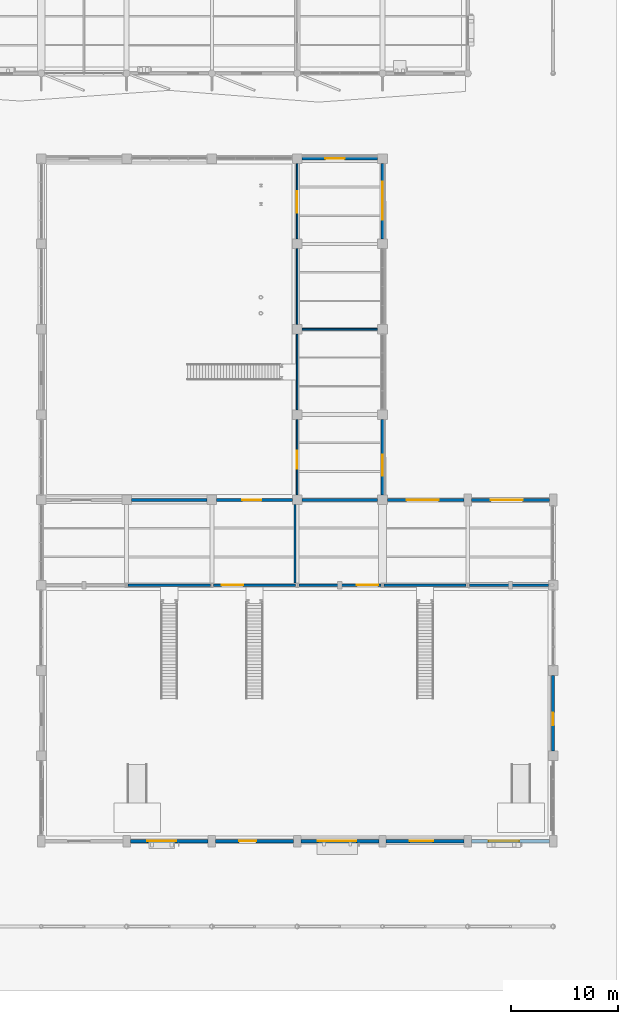
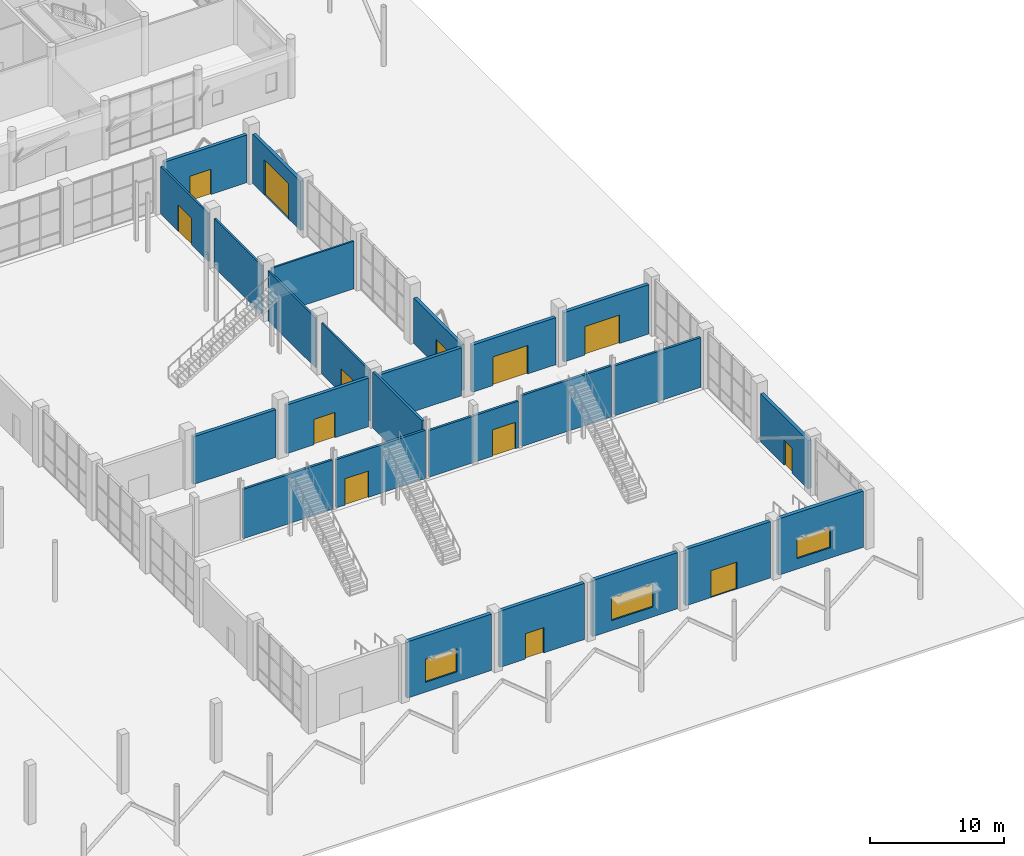
# One storey, part 103 of 123: 25 walls, 13 doors, 3 windows, 16 openings.
"""IFC4 building model written with IfcOpenShell, lengths in metres."""

from ifc_helpers import new_model, si_unit, direction, frame, frame_2d, origin, place, context, subcontext, project, spatial, rectangle, extrude, material, layer, layer_set, type_object, element, fill, save


model = new_model("IFC4")

# Units and contexts
model_context = context("Model", 3, precision=1e-05, world=origin(), true_north=direction((0.0, 1.0)))
body_context = subcontext(model_context, "Body", "Model", "MODEL_VIEW")
ifc_project = project(units=[si_unit("LENGTHUNIT", "METRE"), si_unit("AREAUNIT", "SQUARE_METRE"), si_unit("VOLUMEUNIT", "CUBIC_METRE"), si_unit("PLANEANGLEUNIT", "RADIAN"), si_unit("MASSUNIT", "GRAM", prefix="KILO")], contexts=[model_context])

# Site, building, storey
site_placement = place(None, origin())
site = spatial("IfcSite", under=ifc_project, at=site_placement, CompositionType="ELEMENT")
building_placement = place(site_placement, origin())
building = spatial("IfcBuilding", under=site, at=building_placement, Name="Tenunan Teduh Sports Hall", CompositionType="ELEMENT")
storey_placement = place(building_placement, origin())
storey = spatial("IfcBuildingStorey", under=building, at=storey_placement, Name="L00", CompositionType="ELEMENT", Elevation=0.0)

# Wall
ifc_material_1 = material(Name="Concrete C40/50", Category="concrete")
ifc_layer_1 = layer(ifc_material_1, 0.280029296875)
ifc_layer_set_1 = layer_set([ifc_layer_1], Name="Concrete C40/50")
wall_type_1 = type_object("IfcWallType", Name="WL-EXT-280", PredefinedType="SOLIDWALL", material=ifc_layer_set_1)
wall_1_placement = place(storey_placement, frame((130.449951171875, 46.0, 0.0), z_axis=(0.0, 0.0, 1.0), x_axis=(1.0, 0.0, 0.0)))
element("IfcWall", 1, at=wall_1_placement, inside=storey, type_object=wall_type_1, Name="WL-EXT-L00-054", PredefinedType="SOLIDWALL", context=body_context, shape_type="SweptSolid", body=[
    extrude(rectangle(XDim=7.10009765625, YDim=0.280029296875, at=frame_2d((3.550048828125, 0.0))), origin(), (0.0, 0.0, 1.0), 4.340087890625),
])

# Wall, opening, door
wall_2_placement = place(storey_placement, frame((138.449951171875, 46.0, 0.0), z_axis=(0.0, 0.0, 1.0), x_axis=(1.0, 0.0, 0.0)))
wall_2 = element("IfcWall", 2, at=wall_2_placement, inside=storey, type_object=wall_type_1, Name="WL-EXT-L00-056", PredefinedType="SOLIDWALL", context=body_context, shape_type="SweptSolid", body=[
    extrude(rectangle(XDim=7.10009765625, YDim=0.280029296875, at=frame_2d((3.550048828125, 0.0))), origin(), (0.0, 0.0, 1.0), 4.419921875),
])
opening_1_placement = place(wall_2_placement, frame((2.39990234375, 0.0, 0.0)))
opening_1 = element("IfcOpeningElement", 3, at=opening_1_placement, cuts=wall_2, Name="Opening ED-02", PredefinedType="OPENING", context=body_context, shape_type="SweptSolid", body=[
    extrude(rectangle(XDim=1.800048828125, YDim=2.300048828125, at=frame_2d((0.89990234375, 1.14990234375))), frame((0.0, 0.14990234375, 0.0), z_axis=(0.0, -1.0, 0.0), x_axis=(1.0, 0.0, 0.0)), (0.0, 0.0, 1.0), 0.300048828125),
])
ifc_material_2 = material(Name="Powder-coated aluminium and laminated safety glass", Category="aluminium")
door_type_1 = type_object("IfcDoorType", Name="EDR-02", OperationType="DOUBLE_DOOR_SINGLE_SWING", PredefinedType="DOOR", material=ifc_material_2)
door_1_placement = place(opening_1_placement, origin())
door_1 = element("IfcDoor", 4, at=door_1_placement, inside=storey, type_object=door_type_1, Name="DR-EXT-L00-005", OperationType="DOUBLE_DOOR_SINGLE_SWING", OverallHeight=2.300048828125, OverallWidth=1.800048828125, PredefinedType="DOOR", context=body_context, shape_type="SweptSolid", body=[
    extrude(rectangle(XDim=1.800048828125, YDim=2.300048828125, at=frame_2d((0.89990234375, 1.14990234375))), frame((0.0, 0.02490234375, 0.0), z_axis=(0.0, -1.0, 0.0), x_axis=(1.0, 0.0, 0.0)), (0.0, 0.0, 1.0), 0.050048828125),
])
fill(opening_1, door_1)

# Wall
wall_3_placement = place(storey_placement, frame((146.449951171875, 46.0, 0.0), z_axis=(0.0, 0.0, 1.0), x_axis=(1.0, 0.0, 0.0)))
element("IfcWall", 5, at=wall_3_placement, inside=storey, type_object=wall_type_1, Name="WL-EXT-L00-058", PredefinedType="SOLIDWALL", context=body_context, shape_type="SweptSolid", body=[
    extrude(rectangle(XDim=7.10009765625, YDim=0.280029296875, at=frame_2d((3.550048828125, 0.0))), origin(), (0.0, 0.0, 1.0), 4.360107421875),
])

# Wall, opening, door
wall_4_placement = place(storey_placement, frame((146.449951171875, 78.0, 0.0), z_axis=(0.0, 0.0, 1.0), x_axis=(1.0, 0.0, 0.0)))
wall_4 = element("IfcWall", 6, at=wall_4_placement, inside=storey, type_object=wall_type_1, Name="WL-EXT-L00-119", PredefinedType="SOLIDWALL", context=body_context, shape_type="SweptSolid", body=[
    extrude(rectangle(XDim=7.10009765625, YDim=0.280029296875, at=frame_2d((3.550048828125, 0.0))), origin(), (0.0, 0.0, 1.0), 4.340087890625),
])
opening_2_placement = place(wall_4_placement, frame((2.199951171875, 0.0, 0.0)))
opening_2 = element("IfcOpeningElement", 7, at=opening_2_placement, cuts=wall_4, Name="Opening ED-02", PredefinedType="OPENING", context=body_context, shape_type="SweptSolid", body=[
    extrude(rectangle(XDim=1.800048828125, YDim=2.300048828125, at=frame_2d((0.89990234375, 1.14990234375))), frame((0.0, 0.14990234375, 0.0), z_axis=(0.0, -1.0, 0.0), x_axis=(1.0, 0.0, 0.0)), (0.0, 0.0, 1.0), 0.300048828125),
])
door_2_placement = place(opening_2_placement, origin())
door_2 = element("IfcDoor", 8, at=door_2_placement, inside=storey, type_object=door_type_1, Name="DR-EXT-L00-023", OperationType="DOUBLE_DOOR_SINGLE_SWING", OverallHeight=2.300048828125, OverallWidth=1.800048828125, PredefinedType="DOOR", context=body_context, shape_type="SweptSolid", body=[
    extrude(rectangle(XDim=1.800048828125, YDim=2.300048828125, at=frame_2d((0.89990234375, 1.14990234375))), frame((0.0, 0.02490234375, 0.0), z_axis=(0.0, -1.0, 0.0), x_axis=(1.0, 0.0, 0.0)), (0.0, 0.0, 1.0), 0.050048828125),
])
fill(opening_2, door_2)

wall_5_placement = place(storey_placement, frame((154.0, 46.449951171875, 0.0), z_axis=(0.0, 0.0, 1.0), x_axis=(0.0, 1.0, 0.0)))
wall_5 = element("IfcWall", 9, at=wall_5_placement, inside=storey, type_object=wall_type_1, Name="WL-EXT-L00-120", PredefinedType="SOLIDWALL", context=body_context, shape_type="SweptSolid", body=[
    extrude(rectangle(XDim=7.10009765625, YDim=0.280029296875, at=frame_2d((3.550048828125, 0.0))), origin(), (0.0, 0.0, 1.0), 4.139892578125),
])
opening_3_placement = place(wall_5_placement, frame((1.800048828125, 0.0, 0.0)))
opening_3 = element("IfcOpeningElement", 10, at=opening_3_placement, cuts=wall_5, Name="Opening ED-01", PredefinedType="OPENING", context=body_context, shape_type="SweptSolid", body=[
    extrude(rectangle(XDim=2.0, YDim=2.39990234375, at=frame_2d((1.0, 1.199951171875))), frame((0.0, 0.14990234375, 0.0), z_axis=(0.0, -1.0, 0.0), x_axis=(1.0, 0.0, 0.0)), (0.0, 0.0, 1.0), 0.300048828125),
])
ifc_material_3 = material(Name="Powder-coated aluminium and laminated safety glass", Category="aluminium")
door_type_2 = type_object("IfcDoorType", Name="EDR-01", OperationType="DOUBLE_DOOR_SINGLE_SWING", PredefinedType="DOOR", material=ifc_material_3)
door_3_placement = place(opening_3_placement, origin())
door_3 = element("IfcDoor", 11, at=door_3_placement, inside=storey, type_object=door_type_2, Name="DR-EXT-L00-024", OperationType="DOUBLE_DOOR_SINGLE_SWING", OverallHeight=2.39990234375, OverallWidth=2.0, PredefinedType="DOOR", context=body_context, shape_type="SweptSolid", body=[
    extrude(rectangle(XDim=2.0, YDim=2.39990234375, at=frame_2d((1.0, 1.199951171875))), frame((0.0, 0.02490234375, 0.0), z_axis=(0.0, -1.0, 0.0), x_axis=(1.0, 0.0, 0.0)), (0.0, 0.0, 1.0), 0.050048828125),
])
fill(opening_3, door_3)

wall_6_placement = place(storey_placement, frame((154.0, 70.449951171875, 0.0), z_axis=(0.0, 0.0, 1.0), x_axis=(0.0, 1.0, 0.0)))
wall_6 = element("IfcWall", 12, at=wall_6_placement, inside=storey, type_object=wall_type_1, Name="WL-EXT-L00-122", PredefinedType="SOLIDWALL", context=body_context, shape_type="SweptSolid", body=[
    extrude(rectangle(XDim=7.10009765625, YDim=0.280029296875, at=frame_2d((3.550048828125, 0.0))), origin(), (0.0, 0.0, 1.0), 4.489990234375),
])
opening_4_placement = place(wall_6_placement, frame((1.800048828125, 0.0, 0.0)))
opening_4 = element("IfcOpeningElement", 13, at=opening_4_placement, cuts=wall_6, Name="Opening EG-04", PredefinedType="OPENING", context=body_context, shape_type="SweptSolid", body=[
    extrude(rectangle(XDim=3.60009765625, YDim=3.199951171875, at=frame_2d((1.800048828125, 1.60009765625))), frame((0.0, 0.14990234375, 0.0), z_axis=(0.0, -1.0, 0.0), x_axis=(1.0, 0.0, 0.0)), (0.0, 0.0, 1.0), 0.300048828125),
])
ifc_material_4 = material(Name="Powder-coated aluminium and laminated safety glass", Category="aluminium")
door_type_3 = type_object("IfcDoorType", Name="EGT-04", OperationType="ROLLINGUP", PredefinedType="GATE", material=ifc_material_4)
door_4_placement = place(opening_4_placement, origin())
door_4 = element("IfcDoor", 14, at=door_4_placement, inside=storey, type_object=door_type_3, Name="DR-EXT-L00-026", OperationType="ROLLINGUP", OverallHeight=3.199951171875, OverallWidth=3.60009765625, PredefinedType="GATE", context=body_context, shape_type="SweptSolid", body=[
    extrude(rectangle(XDim=3.60009765625, YDim=3.199951171875, at=frame_2d((1.800048828125, 1.60009765625))), frame((0.0, 0.02490234375, 0.0), z_axis=(0.0, -1.0, 0.0), x_axis=(1.0, 0.0, 0.0)), (0.0, 0.0, 1.0), 0.050048828125),
])
fill(opening_4, door_4)

ifc_material_5 = material(Name="Concrete C40/50", Category="concrete")
ifc_layer_2 = layer(ifc_material_5, 0.2900390625)
ifc_layer_set_2 = layer_set([ifc_layer_2], Name="Concrete C40/50")
wall_type_2 = type_object("IfcWallType", Name="WL-EXT-290", PredefinedType="SOLIDWALL", material=ifc_layer_set_2)
wall_7_placement = place(storey_placement, frame((170.0, 22.449951171875, 0.0), z_axis=(0.0, 0.0, 1.0), x_axis=(0.0, 1.0, 0.0)))
wall_7 = element("IfcWall", 15, at=wall_7_placement, inside=storey, type_object=wall_type_2, Name="WL-EXT-L00-064", PredefinedType="SOLIDWALL", context=body_context, shape_type="SweptSolid", body=[
    extrude(rectangle(XDim=7.10009765625, YDim=0.2900390625, at=frame_2d((3.550048828125, 0.0))), origin(), (0.0, 0.0, 1.0), 4.389892578125),
])
opening_5_placement = place(wall_7_placement, frame((2.39990234375, 0.0, 0.0)))
opening_5 = element("IfcOpeningElement", 16, at=opening_5_placement, cuts=wall_7, Name="Opening ED-08", PredefinedType="OPENING", context=body_context, shape_type="SweptSolid", body=[
    extrude(rectangle(XDim=1.199951171875, YDim=2.25, at=frame_2d((0.60009765625, 1.125))), frame((0.0, 0.155029296875, 0.0), z_axis=(0.0, -1.0, 0.0), x_axis=(1.0, 0.0, 0.0)), (0.0, 0.0, 1.0), 0.31005859375),
])
ifc_material_6 = material(Name="Powder-coated aluminium and laminated safety glass", Category="aluminium")
door_type_4 = type_object("IfcDoorType", Name="EDR-08", OperationType="SINGLE_SWING_LEFT", PredefinedType="DOOR", material=ifc_material_6)
door_5_placement = place(opening_5_placement, origin())
door_5 = element("IfcDoor", 17, at=door_5_placement, inside=storey, type_object=door_type_4, Name="DR-EXT-L00-010", OperationType="SINGLE_SWING_LEFT", OverallHeight=2.25, OverallWidth=1.199951171875, PredefinedType="DOOR", context=body_context, shape_type="SweptSolid", body=[
    extrude(rectangle(XDim=1.199951171875, YDim=2.25, at=frame_2d((0.60009765625, 1.125))), frame((0.0, 0.02490234375, 0.0), z_axis=(0.0, -1.0, 0.0), x_axis=(1.0, 0.0, 0.0)), (0.0, 0.0, 1.0), 0.050048828125),
])
fill(opening_5, door_5)

ifc_material_7 = material(Name="Concrete C40/50", Category="concrete")
ifc_layer_3 = layer(ifc_material_7, 0.300048828125)
ifc_layer_set_3 = layer_set([ifc_layer_3], Name="Concrete C40/50")
wall_type_3 = type_object("IfcWallType", Name="WL-EXT-300", PredefinedType="SOLIDWALL", material=ifc_layer_set_3)
wall_8_placement = place(storey_placement, frame((138.35009765625, 14.0, 0.0), z_axis=(0.0, 0.0, 1.0), x_axis=(1.0, 0.0, 0.0)))
wall_8 = element("IfcWall", 18, at=wall_8_placement, inside=storey, type_object=wall_type_3, Name="WL-EXT-L00-055", PredefinedType="SOLIDWALL", context=body_context, shape_type="SweptSolid", body=[
    extrude(rectangle(XDim=7.2998046875, YDim=0.300048828125, at=frame_2d((3.64990234375, 0.0))), origin(), (0.0, 0.0, 1.0), 5.1201171875),
])
opening_6_placement = place(wall_8_placement, frame((2.199951171875, 0.0, 0.0)))
opening_6 = element("IfcOpeningElement", 19, at=opening_6_placement, cuts=wall_8, Name="Opening ED-06", PredefinedType="OPENING", context=body_context, shape_type="SweptSolid", body=[
    extrude(rectangle(XDim=1.60009765625, YDim=2.300048828125, at=frame_2d((0.800048828125, 1.14990234375))), frame((0.0, 0.159912109375, 0.0), z_axis=(0.0, -1.0, 0.0), x_axis=(1.0, 0.0, 0.0)), (0.0, 0.0, 1.0), 0.320068359375),
])
ifc_material_8 = material(Name="Powder-coated aluminium and laminated safety glass", Category="aluminium")
door_type_5 = type_object("IfcDoorType", Name="EDR-06", OperationType="DOUBLE_DOOR_SINGLE_SWING", PredefinedType="DOOR", material=ifc_material_8)
door_6_placement = place(opening_6_placement, origin())
door_6 = element("IfcDoor", 20, at=door_6_placement, inside=storey, type_object=door_type_5, Name="DR-EXT-L00-004", OperationType="DOUBLE_DOOR_SINGLE_SWING", OverallHeight=2.300048828125, OverallWidth=1.60009765625, PredefinedType="DOOR", context=body_context, shape_type="SweptSolid", body=[
    extrude(rectangle(XDim=1.60009765625, YDim=2.300048828125, at=frame_2d((0.800048828125, 1.14990234375))), frame((0.0, 0.02490234375, 0.0), z_axis=(0.0, -1.0, 0.0), x_axis=(1.0, 0.0, 0.0)), (0.0, 0.0, 1.0), 0.050048828125),
])
fill(opening_6, door_6)

wall_9_placement = place(storey_placement, frame((154.35009765625, 14.0, 0.0), z_axis=(0.0, 0.0, 1.0), x_axis=(1.0, 0.0, 0.0)))
wall_9 = element("IfcWall", 21, at=wall_9_placement, inside=storey, type_object=wall_type_3, Name="WL-EXT-L00-059", PredefinedType="SOLIDWALL", context=body_context, shape_type="SweptSolid", body=[
    extrude(rectangle(XDim=7.2998046875, YDim=0.300048828125, at=frame_2d((3.64990234375, 0.0))), origin(), (0.0, 0.0, 1.0), 5.1201171875),
])
opening_7_placement = place(wall_9_placement, frame((2.199951171875, 0.0, 0.0)))
opening_7 = element("IfcOpeningElement", 22, at=opening_7_placement, cuts=wall_9, Name="Opening ED-07", PredefinedType="OPENING", context=body_context, shape_type="SweptSolid", body=[
    extrude(rectangle(XDim=2.199951171875, YDim=2.449951171875, at=frame_2d((1.10009765625, 1.22509765625))), frame((0.0, 0.159912109375, 0.0), z_axis=(0.0, -1.0, 0.0), x_axis=(1.0, 0.0, 0.0)), (0.0, 0.0, 1.0), 0.320068359375),
])
ifc_material_9 = material(Name="Powder-coated aluminium and laminated safety glass", Category="aluminium")
door_type_6 = type_object("IfcDoorType", Name="EDR-07", OperationType="DOUBLE_DOOR_SINGLE_SWING", PredefinedType="DOOR", material=ifc_material_9)
door_7_placement = place(opening_7_placement, origin())
door_7 = element("IfcDoor", 23, at=door_7_placement, inside=storey, type_object=door_type_6, Name="DR-EXT-L00-006", OperationType="DOUBLE_DOOR_SINGLE_SWING", OverallHeight=2.449951171875, OverallWidth=2.199951171875, PredefinedType="DOOR", context=body_context, shape_type="SweptSolid", body=[
    extrude(rectangle(XDim=2.199951171875, YDim=2.449951171875, at=frame_2d((1.10009765625, 1.22509765625))), frame((0.0, 0.02490234375, 0.0), z_axis=(0.0, -1.0, 0.0), x_axis=(1.0, 0.0, 0.0)), (0.0, 0.0, 1.0), 0.050048828125),
])
fill(opening_7, door_7)

wall_10_placement = place(storey_placement, frame((154.449951171875, 46.0, 0.0), z_axis=(0.0, 0.0, 1.0), x_axis=(1.0, 0.0, 0.0)))
wall_10 = element("IfcWall", 24, at=wall_10_placement, inside=storey, type_object=wall_type_3, Name="WL-EXT-L00-060", PredefinedType="SOLIDWALL", context=body_context, shape_type="SweptSolid", body=[
    extrude(rectangle(XDim=7.199951171875, YDim=0.300048828125, at=frame_2d((3.60009765625, 0.0))), origin(), (0.0, 0.0, 1.0), 4.2900390625),
])
opening_8_placement = place(wall_10_placement, frame((1.800048828125, 0.0, 0.0)))
opening_8 = element("IfcOpeningElement", 25, at=opening_8_placement, cuts=wall_10, Name="Opening EG-02", PredefinedType="OPENING", context=body_context, shape_type="SweptSolid", body=[
    extrude(rectangle(XDim=3.0, YDim=2.60009765625, at=frame_2d((1.5, 1.300048828125))), frame((0.0, 0.159912109375, 0.0), z_axis=(0.0, -1.0, 0.0), x_axis=(1.0, 0.0, 0.0)), (0.0, 0.0, 1.0), 0.320068359375),
])
ifc_material_10 = material(Name="Powder-coated aluminium and laminated safety glass", Category="aluminium")
door_type_7 = type_object("IfcDoorType", Name="EGT-02", OperationType="DOUBLE_SWING_LEFT", PredefinedType="GATE", material=ifc_material_10)
door_8_placement = place(opening_8_placement, origin())
door_8 = element("IfcDoor", 26, at=door_8_placement, inside=storey, type_object=door_type_7, Name="DR-EXT-L00-007", OperationType="DOUBLE_SWING_LEFT", OverallHeight=2.60009765625, OverallWidth=3.0, PredefinedType="GATE", context=body_context, shape_type="SweptSolid", body=[
    extrude(rectangle(XDim=3.0, YDim=2.60009765625, at=frame_2d((1.5, 1.300048828125))), frame((0.0, 0.02490234375, 0.0), z_axis=(0.0, -1.0, 0.0), x_axis=(1.0, 0.0, 0.0)), (0.0, 0.0, 1.0), 0.050048828125),
])
fill(opening_8, door_8)

wall_11_placement = place(storey_placement, frame((162.35009765625, 46.0, 0.0), z_axis=(0.0, 0.0, 1.0), x_axis=(1.0, 0.0, 0.0)))
wall_11 = element("IfcWall", 27, at=wall_11_placement, inside=storey, type_object=wall_type_3, Name="WL-EXT-L00-062", PredefinedType="SOLIDWALL", context=body_context, shape_type="SweptSolid", body=[
    extrude(rectangle(XDim=7.2998046875, YDim=0.300048828125, at=frame_2d((3.64990234375, 0.0))), origin(), (0.0, 0.0, 1.0), 4.489990234375),
])
opening_9_placement = place(wall_11_placement, frame((1.800048828125, 0.0, 0.0)))
opening_9 = element("IfcOpeningElement", 28, at=opening_9_placement, cuts=wall_11, Name="Opening EG-02", PredefinedType="OPENING", context=body_context, shape_type="SweptSolid", body=[
    extrude(rectangle(XDim=3.0, YDim=2.60009765625, at=frame_2d((1.5, 1.300048828125))), frame((0.0, 0.159912109375, 0.0), z_axis=(0.0, -1.0, 0.0), x_axis=(1.0, 0.0, 0.0)), (0.0, 0.0, 1.0), 0.320068359375),
])
door_9_placement = place(opening_9_placement, origin())
door_9 = element("IfcDoor", 29, at=door_9_placement, inside=storey, type_object=door_type_7, Name="DR-EXT-L00-008", OperationType="DOUBLE_SWING_LEFT", OverallHeight=2.60009765625, OverallWidth=3.0, PredefinedType="GATE", context=body_context, shape_type="SweptSolid", body=[
    extrude(rectangle(XDim=3.0, YDim=2.60009765625, at=frame_2d((1.5, 1.300048828125))), frame((0.0, 0.02490234375, 0.0), z_axis=(0.0, -1.0, 0.0), x_axis=(1.0, 0.0, 0.0)), (0.0, 0.0, 1.0), 0.050048828125),
])
fill(opening_9, door_9)

# Wall, opening, window
ifc_material_11 = material(Name="Concrete C40/50", Category="concrete")
ifc_layer_4 = layer(ifc_material_11, 0.320068359375)
ifc_layer_set_4 = layer_set([ifc_layer_4], Name="Concrete C40/50")
wall_type_4 = type_object("IfcWallType", Name="WL-EXT-320", PredefinedType="SOLIDWALL", material=ifc_layer_set_4)
wall_12_placement = place(storey_placement, frame((130.35009765625, 14.0, 0.0), z_axis=(0.0, 0.0, 1.0), x_axis=(1.0, 0.0, 0.0)))
wall_12 = element("IfcWall", 30, at=wall_12_placement, inside=storey, type_object=wall_type_4, Name="WL-EXT-L00-053", PredefinedType="SOLIDWALL", context=body_context, shape_type="SweptSolid", body=[
    extrude(rectangle(XDim=7.2998046875, YDim=0.320068359375, at=frame_2d((3.64990234375, 0.0))), origin(), (0.0, 0.0, 1.0), 5.1201171875),
])
opening_10_placement = place(wall_12_placement, frame((1.60009765625, 0.0, 0.89990234375)))
opening_10 = element("IfcOpeningElement", 31, at=opening_10_placement, cuts=wall_12, Name="Opening W-11", PredefinedType="OPENING", context=body_context, shape_type="SweptSolid", body=[
    extrude(rectangle(XDim=2.699951171875, YDim=2.10009765625, at=frame_2d((1.35009765625, 1.050048828125))), frame((0.0, 0.169921875, 0.0), z_axis=(0.0, -1.0, 0.0), x_axis=(1.0, 0.0, 0.0)), (0.0, 0.0, 1.0), 0.340087890625),
])
ifc_material_12 = material(Name="Thermally broken aluminium and Low-E glazing", Category="aluminium")
window_type_1 = type_object("IfcWindowType", Name="WIN-11", PartitioningType="TRIPLE_PANEL_VERTICAL", PredefinedType="WINDOW", material=ifc_material_12)
window_1_placement = place(opening_10_placement, origin())
window_1 = element("IfcWindow", 32, at=window_1_placement, inside=storey, type_object=window_type_1, Name="WIN-L00-001", OverallHeight=2.10009765625, OverallWidth=2.699951171875, PartitioningType="SINGLE_PANEL", PredefinedType="WINDOW", context=body_context, shape_type="SweptSolid", body=[
    extrude(rectangle(XDim=2.699951171875, YDim=2.10009765625, at=frame_2d((1.35009765625, 1.050048828125))), frame((0.0, 0.030029296875, 0.0), z_axis=(0.0, -1.0, 0.0), x_axis=(1.0, 0.0, 0.0)), (0.0, 0.0, 1.0), 0.06005859375),
])
fill(opening_10, window_1)

wall_13_placement = place(storey_placement, frame((146.35009765625, 14.0, 0.0), z_axis=(0.0, 0.0, 1.0), x_axis=(1.0, 0.0, 0.0)))
wall_13 = element("IfcWall", 33, at=wall_13_placement, inside=storey, type_object=wall_type_4, Name="WL-EXT-L00-057", PredefinedType="SOLIDWALL", context=body_context, shape_type="SweptSolid", body=[
    extrude(rectangle(XDim=7.2998046875, YDim=0.320068359375, at=frame_2d((3.64990234375, 0.0))), origin(), (0.0, 0.0, 1.0), 5.1201171875),
])
opening_11_placement = place(wall_13_placement, frame((1.60009765625, 0.0, 0.89990234375)))
opening_11 = element("IfcOpeningElement", 34, at=opening_11_placement, cuts=wall_13, Name="Opening W-05", PredefinedType="OPENING", context=body_context, shape_type="SweptSolid", body=[
    extrude(rectangle(XDim=3.60009765625, YDim=2.10009765625, at=frame_2d((1.800048828125, 1.050048828125))), frame((0.0, 0.169921875, 0.0), z_axis=(0.0, -1.0, 0.0), x_axis=(1.0, 0.0, 0.0)), (0.0, 0.0, 1.0), 0.340087890625),
])
ifc_material_13 = material(Name="Thermally broken aluminium and Low-E glazing", Category="aluminium")
window_type_2 = type_object("IfcWindowType", Name="WIN-05", PartitioningType="TRIPLE_PANEL_VERTICAL", PredefinedType="WINDOW", material=ifc_material_13)
window_2_placement = place(opening_11_placement, origin())
window_2 = element("IfcWindow", 35, at=window_2_placement, inside=storey, type_object=window_type_2, Name="WIN-L00-002", OverallHeight=2.10009765625, OverallWidth=3.60009765625, PartitioningType="SINGLE_PANEL", PredefinedType="WINDOW", context=body_context, shape_type="SweptSolid", body=[
    extrude(rectangle(XDim=3.60009765625, YDim=2.10009765625, at=frame_2d((1.800048828125, 1.050048828125))), frame((0.0, 0.030029296875, 0.0), z_axis=(0.0, -1.0, 0.0), x_axis=(1.0, 0.0, 0.0)), (0.0, 0.0, 1.0), 0.06005859375),
])
fill(opening_11, window_2)

wall_14_placement = place(storey_placement, frame((162.35009765625, 14.0, 0.0), z_axis=(0.0, 0.0, 1.0), x_axis=(1.0, 0.0, 0.0)))
wall_14 = element("IfcWall", 36, at=wall_14_placement, inside=storey, type_object=wall_type_4, Name="WL-EXT-L00-061", PredefinedType="SOLIDWALL", context=body_context, shape_type="SweptSolid", body=[
    extrude(rectangle(XDim=7.2998046875, YDim=0.320068359375, at=frame_2d((3.64990234375, 0.0))), origin(), (0.0, 0.0, 1.0), 5.1201171875),
])
opening_12_placement = place(wall_14_placement, frame((1.60009765625, 0.0, 0.949951171875)))
opening_12 = element("IfcOpeningElement", 37, at=opening_12_placement, cuts=wall_14, Name="Opening W-23", PredefinedType="OPENING", context=body_context, shape_type="SweptSolid", body=[
    extrude(rectangle(XDim=2.85009765625, YDim=1.85009765625, at=frame_2d((1.425048828125, 0.925048828125))), frame((0.0, 0.169921875, 0.0), z_axis=(0.0, -1.0, 0.0), x_axis=(1.0, 0.0, 0.0)), (0.0, 0.0, 1.0), 0.340087890625),
])
ifc_material_14 = material(Name="Thermally broken aluminium and Low-E glazing", Category="aluminium")
window_type_3 = type_object("IfcWindowType", Name="WIN-23", PartitioningType="TRIPLE_PANEL_VERTICAL", PredefinedType="WINDOW", material=ifc_material_14)
window_3_placement = place(opening_12_placement, origin())
window_3 = element("IfcWindow", 38, at=window_3_placement, inside=storey, type_object=window_type_3, Name="WIN-L00-003", OverallHeight=1.85009765625, OverallWidth=2.85009765625, PartitioningType="SINGLE_PANEL", PredefinedType="WINDOW", context=body_context, shape_type="SweptSolid", body=[
    extrude(rectangle(XDim=2.85009765625, YDim=1.85009765625, at=frame_2d((1.425048828125, 0.925048828125))), frame((0.0, 0.030029296875, 0.0), z_axis=(0.0, -1.0, 0.0), x_axis=(1.0, 0.0, 0.0)), (0.0, 0.0, 1.0), 0.06005859375),
])
fill(opening_12, window_3)

# Wall, opening, door
ifc_material_15 = material(Name="Acoustic stud and double plasterboard")
ifc_layer_5 = layer(ifc_material_15, 0.14990234375)
ifc_layer_set_5 = layer_set([ifc_layer_5], Name="Acoustic stud and double plasterboard")
wall_type_5 = type_object("IfcWallType", Name="WL-PRT-150", PredefinedType="PARTITIONING", material=ifc_layer_set_5)
wall_15_placement = place(storey_placement, frame((146.0, 46.449951171875, 0.0), z_axis=(0.0, 0.0, 1.0), x_axis=(0.0, 1.0, 0.0)))
wall_15 = element("IfcWall", 39, at=wall_15_placement, inside=storey, type_object=wall_type_5, Name="WL-PRT-L00-296", PredefinedType="PARTITIONING", context=body_context, shape_type="SweptSolid", body=[
    extrude(rectangle(XDim=7.10009765625, YDim=0.14990234375, at=frame_2d((3.550048828125, 0.0))), origin(), (0.0, 0.0, 1.0), 4.639892578125),
])
opening_13_placement = place(wall_15_placement, frame((2.47998046875, 0.0, 0.0)))
opening_13 = element("IfcOpeningElement", 40, at=opening_13_placement, cuts=wall_15, Name="Opening ID-05", PredefinedType="OPENING", context=body_context, shape_type="SweptSolid", body=[
    extrude(rectangle(XDim=1.699951171875, YDim=2.25, at=frame_2d((0.85009765625, 1.125))), frame((0.0, 0.0849609375, 0.0), z_axis=(0.0, -1.0, 0.0), x_axis=(1.0, 0.0, 0.0)), (0.0, 0.0, 1.0), 0.169921875),
])
ifc_material_16 = material(Name="Glazed concourse pair")
door_type_8 = type_object("IfcDoorType", Name="IDR-05", OperationType="DOUBLE_DOOR_SINGLE_SWING", PredefinedType="DOOR", material=ifc_material_16)
door_10_placement = place(opening_13_placement, origin())
door_10 = element("IfcDoor", 41, at=door_10_placement, inside=storey, type_object=door_type_8, Name="DR-INT-L00-112", OperationType="DOUBLE_DOOR_SINGLE_SWING", OverallHeight=2.25, OverallWidth=1.699951171875, PredefinedType="DOOR", context=body_context, shape_type="SweptSolid", body=[
    extrude(rectangle(XDim=1.699951171875, YDim=2.25, at=frame_2d((0.85009765625, 1.125))), frame((0.0, 0.02490234375, 0.0), z_axis=(0.0, -1.0, 0.0), x_axis=(1.0, 0.0, 0.0)), (0.0, 0.0, 1.0), 0.050048828125),
])
fill(opening_13, door_10)

# Walls
wall_16_placement = place(storey_placement, frame((146.0, 54.449951171875, 0.0), z_axis=(0.0, 0.0, 1.0), x_axis=(0.0, 1.0, 0.0)))
element("IfcWall", 42, at=wall_16_placement, inside=storey, type_object=wall_type_5, Name="WL-PRT-L00-297", PredefinedType="PARTITIONING", context=body_context, shape_type="SweptSolid", body=[
    extrude(rectangle(XDim=7.10009765625, YDim=0.14990234375, at=frame_2d((3.550048828125, 0.0))), origin(), (0.0, 0.0, 1.0), 4.5400390625),
])
wall_17_placement = place(storey_placement, frame((146.0, 62.449951171875, 0.0), z_axis=(0.0, 0.0, 1.0), x_axis=(0.0, 1.0, 0.0)))
element("IfcWall", 43, at=wall_17_placement, inside=storey, type_object=wall_type_5, Name="WL-PRT-L00-298", PredefinedType="PARTITIONING", context=body_context, shape_type="SweptSolid", body=[
    extrude(rectangle(XDim=7.10009765625, YDim=0.14990234375, at=frame_2d((3.550048828125, 0.0))), origin(), (0.0, 0.0, 1.0), 4.43994140625),
])

# Wall, opening, door
wall_18_placement = place(storey_placement, frame((146.0, 70.449951171875, 0.0), z_axis=(0.0, 0.0, 1.0), x_axis=(0.0, 1.0, 0.0)))
wall_18 = element("IfcWall", 44, at=wall_18_placement, inside=storey, type_object=wall_type_5, Name="WL-PRT-L00-299", PredefinedType="PARTITIONING", context=body_context, shape_type="SweptSolid", body=[
    extrude(rectangle(XDim=7.10009765625, YDim=0.14990234375, at=frame_2d((3.550048828125, 0.0))), origin(), (0.0, 0.0, 1.0), 4.340087890625),
])
opening_14_placement = place(wall_18_placement, frame((2.47998046875, 0.0, 0.0)))
opening_14 = element("IfcOpeningElement", 45, at=opening_14_placement, cuts=wall_18, Name="Opening ID-07", PredefinedType="OPENING", context=body_context, shape_type="SweptSolid", body=[
    extrude(rectangle(XDim=2.0, YDim=2.39990234375, at=frame_2d((1.0, 1.199951171875))), frame((0.0, 0.0849609375, 0.0), z_axis=(0.0, -1.0, 0.0), x_axis=(1.0, 0.0, 0.0)), (0.0, 0.0, 1.0), 0.169921875),
])
ifc_material_17 = material(Name="Equipment store steel pair", Category="steel")
door_type_9 = type_object("IfcDoorType", Name="IDR-07", OperationType="DOUBLE_DOOR_SINGLE_SWING", PredefinedType="DOOR", material=ifc_material_17)
door_11_placement = place(opening_14_placement, origin())
door_11 = element("IfcDoor", 46, at=door_11_placement, inside=storey, type_object=door_type_9, Name="DR-INT-L00-113", OperationType="DOUBLE_DOOR_SINGLE_SWING", OverallHeight=2.39990234375, OverallWidth=2.0, PredefinedType="DOOR", context=body_context, shape_type="SweptSolid", body=[
    extrude(rectangle(XDim=2.0, YDim=2.39990234375, at=frame_2d((1.0, 1.199951171875))), frame((0.0, 0.02490234375, 0.0), z_axis=(0.0, -1.0, 0.0), x_axis=(1.0, 0.0, 0.0)), (0.0, 0.0, 1.0), 0.050048828125),
])
fill(opening_14, door_11)

# Walls
wall_19_placement = place(storey_placement, frame((146.449951171875, 62.0, 0.0), z_axis=(0.0, 0.0, 1.0), x_axis=(1.0, 0.0, 0.0)))
element("IfcWall", 47, at=wall_19_placement, inside=storey, type_object=wall_type_5, Name="WL-PRT-L00-300", PredefinedType="PARTITIONING", context=body_context, shape_type="SweptSolid", body=[
    extrude(rectangle(XDim=7.10009765625, YDim=0.14990234375, at=frame_2d((3.550048828125, 0.0))), origin(), (0.0, 0.0, 1.0), 4.340087890625),
])
ifc_material_18 = material(Name="Autoclaved aerated concrete blockwork", Category="masonry")
ifc_layer_6 = layer(ifc_material_18, 0.199951171875)
ifc_layer_set_6 = layer_set([ifc_layer_6], Name="Autoclaved aerated concrete blockwork")
wall_type_6 = type_object("IfcWallType", Name="WL-PRT-200", PredefinedType="PARTITIONING", material=ifc_layer_set_6)
wall_20_placement = place(storey_placement, frame((130.14990234375, 38.0, 0.0), z_axis=(0.0, 0.0, 1.0), x_axis=(1.0, 0.0, 0.0)))
element("IfcWall", 48, at=wall_20_placement, inside=storey, type_object=wall_type_6, Name="WL-PRT-L00-283", PredefinedType="PARTITIONING", context=body_context, shape_type="SweptSolid", body=[
    extrude(rectangle(XDim=7.7001953125, YDim=0.199951171875, at=frame_2d((3.85009765625, 0.0))), origin(), (0.0, 0.0, 1.0), 4.489990234375),
])

# Wall, opening, door
wall_21_placement = place(storey_placement, frame((138.14990234375, 38.0, 0.0), z_axis=(0.0, 0.0, 1.0), x_axis=(1.0, 0.0, 0.0)))
wall_21 = element("IfcWall", 49, at=wall_21_placement, inside=storey, type_object=wall_type_6, Name="WL-PRT-L00-284", PredefinedType="PARTITIONING", context=body_context, shape_type="SweptSolid", body=[
    extrude(rectangle(XDim=7.7001953125, YDim=0.199951171875, at=frame_2d((3.85009765625, 0.0))), origin(), (0.0, 0.0, 1.0), 4.389892578125),
])
opening_15_placement = place(wall_21_placement, frame((0.77001953125, 0.0, 0.0)))
opening_15 = element("IfcOpeningElement", 50, at=opening_15_placement, cuts=wall_21, Name="Opening ID-07", PredefinedType="OPENING", context=body_context, shape_type="SweptSolid", body=[
    extrude(rectangle(XDim=2.0, YDim=2.39990234375, at=frame_2d((1.0, 1.199951171875))), frame((0.0, 0.10986328125, 0.0), z_axis=(0.0, -1.0, 0.0), x_axis=(1.0, 0.0, 0.0)), (0.0, 0.0, 1.0), 0.219970703125),
])
door_12_placement = place(opening_15_placement, origin())
door_12 = element("IfcDoor", 51, at=door_12_placement, inside=storey, type_object=door_type_9, Name="DR-INT-L00-108", OperationType="DOUBLE_DOOR_SINGLE_SWING", OverallHeight=2.39990234375, OverallWidth=2.0, PredefinedType="DOOR", context=body_context, shape_type="SweptSolid", body=[
    extrude(rectangle(XDim=2.0, YDim=2.39990234375, at=frame_2d((1.0, 1.199951171875))), frame((0.0, 0.02490234375, 0.0), z_axis=(0.0, -1.0, 0.0), x_axis=(1.0, 0.0, 0.0)), (0.0, 0.0, 1.0), 0.050048828125),
])
fill(opening_15, door_12)

wall_22_placement = place(storey_placement, frame((146.14990234375, 38.0, 0.0), z_axis=(0.0, 0.0, 1.0), x_axis=(1.0, 0.0, 0.0)))
wall_22 = element("IfcWall", 52, at=wall_22_placement, inside=storey, type_object=wall_type_6, Name="WL-PRT-L00-285", PredefinedType="PARTITIONING", context=body_context, shape_type="SweptSolid", body=[
    extrude(rectangle(XDim=7.7001953125, YDim=0.199951171875, at=frame_2d((3.85009765625, 0.0))), origin(), (0.0, 0.0, 1.0), 4.239990234375),
])
opening_16_placement = place(wall_22_placement, frame((5.449951171875, 0.0, 0.0)))
opening_16 = element("IfcOpeningElement", 53, at=opening_16_placement, cuts=wall_22, Name="Opening ID-07", PredefinedType="OPENING", context=body_context, shape_type="SweptSolid", body=[
    extrude(rectangle(XDim=2.0, YDim=2.39990234375, at=frame_2d((1.0, 1.199951171875))), frame((0.0, 0.10986328125, 0.0), z_axis=(0.0, -1.0, 0.0), x_axis=(1.0, 0.0, 0.0)), (0.0, 0.0, 1.0), 0.219970703125),
])
door_13_placement = place(opening_16_placement, origin())
door_13 = element("IfcDoor", 54, at=door_13_placement, inside=storey, type_object=door_type_9, Name="DR-INT-L00-109", OperationType="DOUBLE_DOOR_SINGLE_SWING", OverallHeight=2.39990234375, OverallWidth=2.0, PredefinedType="DOOR", context=body_context, shape_type="SweptSolid", body=[
    extrude(rectangle(XDim=2.0, YDim=2.39990234375, at=frame_2d((1.0, 1.199951171875))), frame((0.0, 0.02490234375, 0.0), z_axis=(0.0, -1.0, 0.0), x_axis=(1.0, 0.0, 0.0)), (0.0, 0.0, 1.0), 0.050048828125),
])
fill(opening_16, door_13)

# Walls
wall_23_placement = place(storey_placement, frame((154.14990234375, 38.0, 0.0), z_axis=(0.0, 0.0, 1.0), x_axis=(1.0, 0.0, 0.0)))
element("IfcWall", 55, at=wall_23_placement, inside=storey, type_object=wall_type_6, Name="WL-PRT-L00-286", PredefinedType="PARTITIONING", context=body_context, shape_type="SweptSolid", body=[
    extrude(rectangle(XDim=7.7001953125, YDim=0.199951171875, at=frame_2d((3.85009765625, 0.0))), origin(), (0.0, 0.0, 1.0), 4.639892578125),
])
wall_24_placement = place(storey_placement, frame((162.14990234375, 38.0, 0.0), z_axis=(0.0, 0.0, 1.0), x_axis=(1.0, 0.0, 0.0)))
element("IfcWall", 56, at=wall_24_placement, inside=storey, type_object=wall_type_6, Name="WL-PRT-L00-287", PredefinedType="PARTITIONING", context=body_context, shape_type="SweptSolid", body=[
    extrude(rectangle(XDim=7.400146484375, YDim=0.199951171875, at=frame_2d((3.7001953125, 0.0))), origin(), (0.0, 0.0, 1.0), 4.5400390625),
])
wall_25_placement = place(storey_placement, frame((145.81103515625, 38.199951171875, 0.0), z_axis=(0.0, 0.0, 1.0), x_axis=(0.0, 1.0, 0.0)))
element("IfcWall", 57, at=wall_25_placement, inside=storey, type_object=wall_type_6, Name="WL-PRT-L00-288", PredefinedType="PARTITIONING", context=body_context, shape_type="SweptSolid", body=[
    extrude(rectangle(XDim=7.35009765625, YDim=0.199951171875, at=frame_2d((3.675048828125, 0.0))), origin(), (0.0, 0.0, 1.0), 5.10009765625),
])

save(model, "model.ifc")
